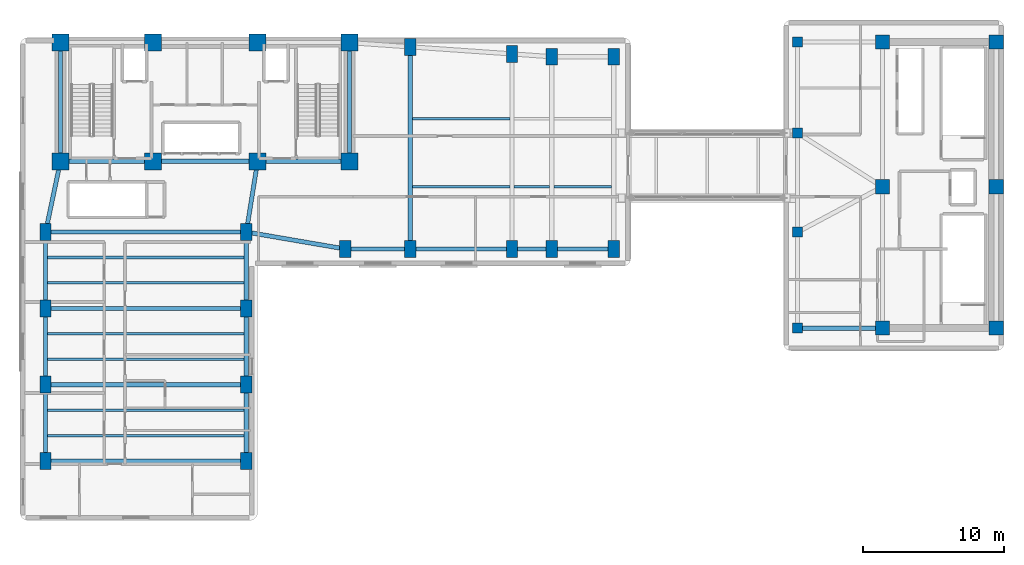
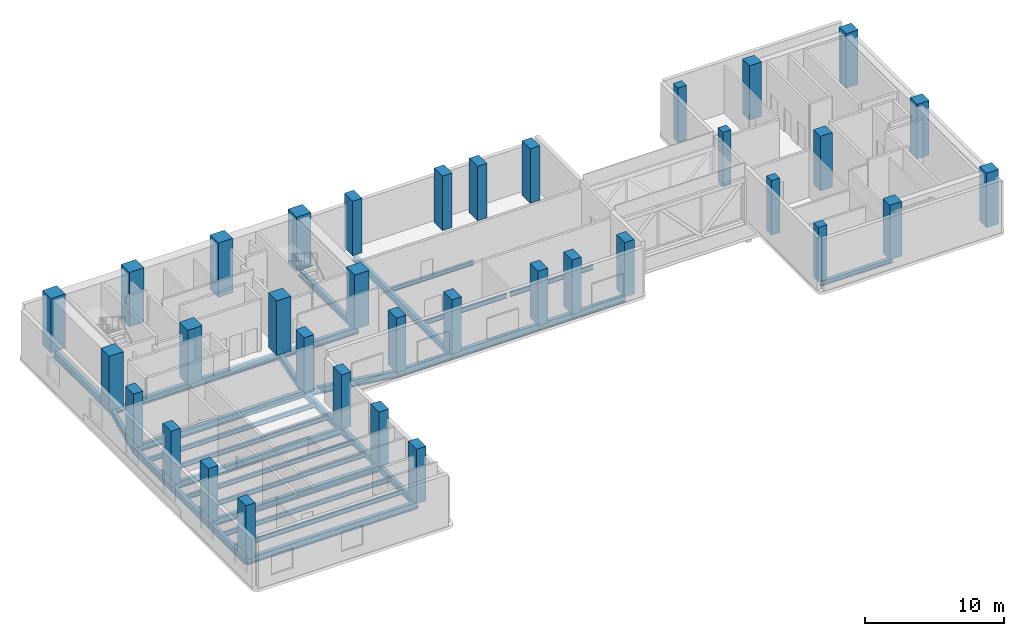
# One storey, part 1 of 17: 35 columns, 34 beams.
"""IFC4 building model written with IfcOpenShell, lengths in metres."""

from ifc_helpers import new_model, si_unit, direction, frame, origin, origin_2d, place, context, subcontext, project, spatial, rectangle, i_section, extrude, material, material_profile, profile_set, type_object, element, save


model = new_model("IFC4")

# Units and contexts
model_context = context("Model", 3, precision=1e-05, world=origin(), true_north=direction((0.0, 1.0)))
body_context = subcontext(model_context, "Body", "Model", "MODEL_VIEW")
ifc_project = project(units=[si_unit("LENGTHUNIT", "METRE"), si_unit("AREAUNIT", "SQUARE_METRE"), si_unit("VOLUMEUNIT", "CUBIC_METRE"), si_unit("PLANEANGLEUNIT", "RADIAN"), si_unit("MASSUNIT", "GRAM", prefix="KILO")], contexts=[model_context])

# Site, building, storey
site_placement = place(None, origin())
site = spatial("IfcSite", under=ifc_project, at=site_placement, CompositionType="ELEMENT")
building_placement = place(site_placement, origin())
building = spatial("IfcBuilding", under=site, at=building_placement, Name="Kuzgunbayir Cultural Tower", CompositionType="ELEMENT")
storey_placement = place(building_placement, frame((0.0, 0.0, 102.60009765625)))
storey = spatial("IfcBuildingStorey", under=building, at=storey_placement, Name="L29", CompositionType="ELEMENT", Elevation=102.60009765625)

# Columns
ifc_material_1 = material(Name="Concrete C60/75", Category="concrete")
ifc_material_profile_1 = material_profile(ifc_material_1, rectangle(XDim=1.199951171875, YDim=1.199951171875, at=origin_2d()), Name="RC 1200x1200")
ifc_profile_set_1 = profile_set([ifc_material_profile_1], Name="Concrete C60/75")
column_type_1 = type_object("IfcColumnType", Name="COL-CORE-1200", PredefinedType="COLUMN", material=ifc_profile_set_1)
for number, where, z_axis, x_axis, name in (
    (1, (6.449951171875, 33.800048828125, 0.0), (0.0, 0.0, 1.0), (1.0, 0.0, 0.0), "L29 T1 Core Boundary Column CC1-1"),
    (2, (13.0, 33.800048828125, 0.0), (0.0, 0.0, 1.0), (1.0, 0.0, 0.0), "L29 T1 Core Boundary Column CC1-2"),
    (3, (20.39990234375, 33.800048828125, 0.0), (0.0, 0.0, 1.0), (1.0, 0.0, 0.0), "L29 T1 Core Boundary Column CC1-3"),
    (4, (26.89990234375, 33.800048828125, 0.0), (0.0, 0.0, 1.0), (1.0, 0.0, 0.0), "L29 T1 Core Boundary Column CC1-4"),
    (5, (6.449951171875, 42.199951171875, 0.0), (0.0, 0.0, 1.0), (1.0, 0.0, 0.0), "L29 T1 Core Boundary Column CC1-5"),
    (6, (13.0, 42.199951171875, 0.0), (0.0, 0.0, 1.0), (1.0, 0.0, 0.0), "L29 T1 Core Boundary Column CC1-6"),
    (7, (20.39990234375, 42.199951171875, 0.0), (0.0, 0.0, 1.0), (1.0, 0.0, 0.0), "L29 T1 Core Boundary Column CC1-7"),
    (8, (26.89990234375, 42.199951171875, 0.0), (0.0, 0.0, 1.0), (1.0, 0.0, 0.0), "L29 T1 Core Boundary Column CC1-8"),
):
    element("IfcColumn", number, at=place(storey_placement, frame(where, z_axis=z_axis, x_axis=x_axis)), inside=storey, type_object=column_type_1, Name=name, PredefinedType="COLUMN", context=body_context, shape_type="SweptSolid", body=[
        extrude(rectangle(XDim=1.199951171875, YDim=1.199951171875, at=origin_2d()), origin(), (0.0, 0.0, 1.0), 4.7998046875),
    ])
ifc_material_profile_2 = material_profile(ifc_material_1, rectangle(XDim=0.800048828125, YDim=1.199951171875, at=origin_2d()), Name="RC 1200x800")
ifc_profile_set_2 = profile_set([ifc_material_profile_2], Name="Concrete C60/75")
column_type_2 = type_object("IfcColumnType", Name="COL-T1-1200x800", PredefinedType="COLUMN", material=ifc_profile_set_2)
for number, where, z_axis, x_axis, name in (
    (9, (5.39990234375, 12.60009765625, 0.0), (0.0, 0.0, 1.0), (1.0, 0.0, 0.0), "L29 Tower 1 Wing A Column T1A-W-1"),
    (10, (19.60009765625, 12.60009765625, 0.0), (0.0, 0.0, 1.0), (1.0, 0.0, 0.0), "L29 Tower 1 Wing A Column T1A-E-1"),
    (11, (5.39990234375, 18.0, 0.0), (0.0, 0.0, 1.0), (1.0, 0.0, 0.0), "L29 Tower 1 Wing A Column T1A-W-2"),
    (12, (19.60009765625, 18.0, 0.0), (0.0, 0.0, 1.0), (1.0, 0.0, 0.0), "L29 Tower 1 Wing A Column T1A-E-2"),
    (13, (5.39990234375, 23.39990234375, 0.0), (0.0, 0.0, 1.0), (1.0, 0.0, 0.0), "L29 Tower 1 Wing A Column T1A-W-3"),
    (14, (19.60009765625, 23.39990234375, 0.0), (0.0, 0.0, 1.0), (1.0, 0.0, 0.0), "L29 Tower 1 Wing A Column T1A-E-3"),
    (15, (5.39990234375, 28.800048828125, 0.0), (0.0, 0.0, 1.0), (1.0, 0.0, 0.0), "L29 Tower 1 Wing A Column T1A-W-4"),
    (16, (19.60009765625, 28.800048828125, 0.0), (0.0, 0.0, 1.0), (1.0, 0.0, 0.0), "L29 Tower 1 Wing A Column T1A-E-4"),
    (17, (26.60009765625, 27.60009765625, 0.0), (0.0, 0.0, 1.0), (1.0, 0.0, 0.0), "L29 Tower 1 Wing B Column T1B-1-1"),
    (18, (31.199951171875, 27.60009765625, 0.0), (0.0, 0.0, 1.0), (1.0, 0.0, 0.0), "L29 Tower 1 Wing B Column T1B-2-1"),
    (19, (31.199951171875, 41.89990234375, 0.0), (0.0, 0.0, 1.0), (1.0, 0.0, 0.0), "L29 Tower 1 Wing B Column T1B-2-2"),
    (20, (38.39990234375, 27.60009765625, 0.0), (0.0, 0.0, 1.0), (1.0, 0.0, 0.0), "L29 Tower 1 Wing B Column T1B-3-1"),
    (21, (38.39990234375, 41.39990234375, 0.0), (0.0, 0.0, 1.0), (1.0, 0.0, 0.0), "L29 Tower 1 Wing B Column T1B-3-2"),
    (22, (41.199951171875, 27.60009765625, 0.0), (0.0, 0.0, 1.0), (1.0, 0.0, 0.0), "L29 Tower 1 Wing B Column T1B-4-1"),
    (23, (41.199951171875, 41.199951171875, 0.0), (0.0, 0.0, 1.0), (1.0, 0.0, 0.0), "L29 Tower 1 Wing B Column T1B-4-2"),
    (24, (45.60009765625, 27.60009765625, 0.0), (0.0, 0.0, 1.0), (1.0, 0.0, 0.0), "L29 Tower 1 Wing B Column T1B-5-1"),
    (25, (45.60009765625, 41.199951171875, 0.0), (0.0, 0.0, 1.0), (1.0, 0.0, 0.0), "L29 Tower 1 Wing B Column T1B-5-2"),
):
    element("IfcColumn", number, at=place(storey_placement, frame(where, z_axis=z_axis, x_axis=x_axis)), inside=storey, type_object=column_type_2, Name=name, PredefinedType="COLUMN", context=body_context, shape_type="SweptSolid", body=[
        extrude(rectangle(XDim=0.800048828125, YDim=1.199951171875, at=origin_2d()), origin(), (0.0, 0.0, 1.0), 4.7998046875),
    ])
ifc_material_profile_3 = material_profile(ifc_material_1, rectangle(XDim=1.0, YDim=1.0, at=origin_2d()), Name="RC 1000x1000")
ifc_profile_set_3 = profile_set([ifc_material_profile_3], Name="Concrete C60/75")
column_type_3 = type_object("IfcColumnType", Name="COL-T2-1000", PredefinedType="COLUMN", material=ifc_profile_set_3)
for number, where, z_axis, x_axis, name in (
    (26, (64.60009765625, 22.0, 0.0), (0.0, 0.0, 1.0), (1.0, 0.0, 0.0), "L29 T2 Core Boundary Column CC2-1"),
    (27, (72.64990234375, 22.0, 0.0), (0.0, 0.0, 1.0), (1.0, 0.0, 0.0), "L29 T2 Core Boundary Column CC2-2"),
    (28, (64.60009765625, 32.0, 0.0), (0.0, 0.0, 1.0), (1.0, 0.0, 0.0), "L29 T2 Core Boundary Column CC2-3"),
    (29, (72.64990234375, 32.0, 0.0), (0.0, 0.0, 1.0), (1.0, 0.0, 0.0), "L29 T2 Core Boundary Column CC2-4"),
    (30, (64.60009765625, 42.25, 0.0), (0.0, 0.0, 1.0), (1.0, 0.0, 0.0), "L29 T2 Core Boundary Column CC2-5"),
    (31, (72.64990234375, 42.25, 0.0), (0.0, 0.0, 1.0), (1.0, 0.0, 0.0), "L29 T2 Core Boundary Column CC2-6"),
):
    element("IfcColumn", number, at=place(storey_placement, frame(where, z_axis=z_axis, x_axis=x_axis)), inside=storey, type_object=column_type_3, Name=name, PredefinedType="COLUMN", context=body_context, shape_type="SweptSolid", body=[
        extrude(rectangle(XDim=1.0, YDim=1.0, at=origin_2d()), origin(), (0.0, 0.0, 1.0), 4.7998046875),
    ])
ifc_material_profile_4 = material_profile(ifc_material_1, rectangle(XDim=0.699951171875, YDim=0.699951171875, at=origin_2d()), Name="RC 700x700")
ifc_profile_set_4 = profile_set([ifc_material_profile_4], Name="Concrete C60/75")
column_type_4 = type_object("IfcColumnType", Name="COL-T2-700", PredefinedType="COLUMN", material=ifc_profile_set_4)
for number, where, z_axis, x_axis, name in (
    (32, (58.60009765625, 22.0, 0.0), (0.0, 0.0, 1.0), (1.0, 0.0, 0.0), "L29 Companion Wing A Column T2A-W-1"),
    (33, (58.60009765625, 28.800048828125, 0.0), (0.0, 0.0, 1.0), (1.0, 0.0, 0.0), "L29 Companion Wing A Column T2A-W-2"),
    (34, (58.60009765625, 35.800048828125, 0.0), (0.0, 0.0, 1.0), (1.0, 0.0, 0.0), "L29 Companion Wing A Column T2A-W-3"),
    (35, (58.60009765625, 42.25, 0.0), (0.0, 0.0, 1.0), (1.0, 0.0, 0.0), "L29 Companion Wing A Column T2A-W-4"),
):
    element("IfcColumn", number, at=place(storey_placement, frame(where, z_axis=z_axis, x_axis=x_axis)), inside=storey, type_object=column_type_4, Name=name, PredefinedType="COLUMN", context=body_context, shape_type="SweptSolid", body=[
        extrude(rectangle(XDim=0.699951171875, YDim=0.699951171875, at=origin_2d()), origin(), (0.0, 0.0, 1.0), 4.7998046875),
    ])

# Beams
ifc_material_2 = material(Name="Steel S355J2", Category="steel")
ifc_material_profile_5 = material_profile(ifc_material_2, i_section(OverallWidth=0.300048828125, OverallDepth=0.60009765625, WebThickness=0.015380859375, FlangeThickness=0.030029296875, FilletRadius=0.027099609375, at=origin_2d()), Name="HEB 600")
ifc_profile_set_5 = profile_set([ifc_material_profile_5], Name="Steel S355J2")
beam_type_1 = type_object("IfcBeamType", Name="BM-EXT-HEB600", PredefinedType="BEAM", material=ifc_profile_set_5)
for number, where, z_axis, x_axis, name in (
    (36, (5.39990234375, 12.60009765625, -0.5400390625), (0.0, 1.0, 0.0), (-1.0, 0.0, 0.0), "L29 Wing A West Girder 1"),
    (37, (19.60009765625, 12.60009765625, -0.5400390625), (0.0, 1.0, 0.0), (-1.0, 0.0, 0.0), "L29 Wing A East Girder 1"),
    (38, (5.39990234375, 18.0, -0.5400390625), (0.0, 1.0, 0.0), (-1.0, 0.0, 0.0), "L29 Wing A West Girder 2"),
    (39, (19.60009765625, 18.0, -0.5400390625), (0.0, 1.0, 0.0), (-1.0, 0.0, 0.0), "L29 Wing A East Girder 2"),
):
    element("IfcBeam", number, at=place(storey_placement, frame(where, z_axis=z_axis, x_axis=x_axis)), inside=storey, type_object=beam_type_1, Name=name, PredefinedType="BEAM", context=body_context, shape_type="SweptSolid", body=[
        extrude(i_section(OverallWidth=0.300048828125, OverallDepth=0.60009765625, WebThickness=0.015380859375, FlangeThickness=0.030029296875, FilletRadius=0.027099609375, at=origin_2d()), origin(), (0.0, 0.0, 1.0), 5.39990234375),
    ])
for number, where, z_axis, x_axis, name in (
    (40, (5.39990234375, 23.39990234375, -0.5400390625), (0.0, 1.0, 0.0), (-1.0, 0.0, 0.0), "L29 Wing A West Girder 3"),
    (41, (19.60009765625, 23.39990234375, -0.5400390625), (0.0, 1.0, 0.0), (-1.0, 0.0, 0.0), "L29 Wing A East Girder 3"),
):
    element("IfcBeam", number, at=place(storey_placement, frame(where, z_axis=z_axis, x_axis=x_axis)), inside=storey, type_object=beam_type_1, Name=name, PredefinedType="BEAM", context=body_context, shape_type="SweptSolid", body=[
        extrude(i_section(OverallWidth=0.300048828125, OverallDepth=0.60009765625, WebThickness=0.015380859375, FlangeThickness=0.030029296875, FilletRadius=0.027099609375, at=origin_2d()), origin(), (0.0, 0.0, 1.0), 5.400146484375),
    ])
beam_1_placement = place(storey_placement, frame((26.60009765625, 27.60009765625, -0.5400390625), z_axis=(1.0, 0.0, 0.0), x_axis=(0.0, 1.0, 0.0)))
element("IfcBeam", 42, at=beam_1_placement, inside=storey, type_object=beam_type_1, Name="L29 Wing B South Girder 1", PredefinedType="BEAM", context=body_context, shape_type="SweptSolid", body=[
    extrude(i_section(OverallWidth=0.300048828125, OverallDepth=0.60009765625, WebThickness=0.015380859375, FlangeThickness=0.030029296875, FilletRadius=0.027099609375, at=origin_2d()), origin(), (0.0, 0.0, 1.0), 4.599853515625),
])
beam_2_placement = place(storey_placement, frame((31.199951171875, 27.60009765625, -0.5400390625), z_axis=(1.0, 0.0, 0.0), x_axis=(0.0, 1.0, 0.0)))
element("IfcBeam", 43, at=beam_2_placement, inside=storey, type_object=beam_type_1, Name="L29 Wing B South Girder 2", PredefinedType="BEAM", context=body_context, shape_type="SweptSolid", body=[
    extrude(i_section(OverallWidth=0.300048828125, OverallDepth=0.60009765625, WebThickness=0.015380859375, FlangeThickness=0.030029296875, FilletRadius=0.027099609375, at=origin_2d()), origin(), (0.0, 0.0, 1.0), 7.199951171875),
])
beam_3_placement = place(storey_placement, frame((38.39990234375, 27.60009765625, -0.5400390625), z_axis=(1.0, 0.0, 0.0), x_axis=(0.0, 1.0, 0.0)))
element("IfcBeam", 44, at=beam_3_placement, inside=storey, type_object=beam_type_1, Name="L29 Wing B South Girder 3", PredefinedType="BEAM", context=body_context, shape_type="SweptSolid", body=[
    extrude(i_section(OverallWidth=0.300048828125, OverallDepth=0.60009765625, WebThickness=0.015380859375, FlangeThickness=0.030029296875, FilletRadius=0.027099609375, at=origin_2d()), origin(), (0.0, 0.0, 1.0), 2.800048828125),
])
beam_4_placement = place(storey_placement, frame((41.199951171875, 27.60009765625, -0.5400390625), z_axis=(1.0, 0.0, 0.0), x_axis=(0.0, 1.0, 0.0)))
element("IfcBeam", 45, at=beam_4_placement, inside=storey, type_object=beam_type_1, Name="L29 Wing B South Girder 4", PredefinedType="BEAM", context=body_context, shape_type="SweptSolid", body=[
    extrude(i_section(OverallWidth=0.300048828125, OverallDepth=0.60009765625, WebThickness=0.015380859375, FlangeThickness=0.030029296875, FilletRadius=0.027099609375, at=origin_2d()), origin(), (0.0, 0.0, 1.0), 4.400146484375),
])
ifc_material_profile_6 = material_profile(ifc_material_2, i_section(OverallWidth=0.300048828125, OverallDepth=0.39990234375, WebThickness=0.013427734375, FlangeThickness=0.02392578125, FilletRadius=0.027099609375, at=origin_2d()), Name="HEB 400")
ifc_profile_set_6 = profile_set([ifc_material_profile_6], Name="Steel S355J2")
beam_type_2 = type_object("IfcBeamType", Name="BM-GIR-HEB400", PredefinedType="BEAM", material=ifc_profile_set_6)
beam_5_placement = place(storey_placement, frame((58.60009765625, 22.0, -0.440185546875), z_axis=(1.0, 0.0, 0.0), x_axis=(0.0, 1.0, 0.0)))
element("IfcBeam", 46, at=beam_5_placement, inside=storey, type_object=beam_type_2, Name="L29 Companion Transverse Girder 1", PredefinedType="BEAM", context=body_context, shape_type="SweptSolid", body=[
    extrude(i_section(OverallWidth=0.300048828125, OverallDepth=0.39990234375, WebThickness=0.013427734375, FlangeThickness=0.02392578125, FilletRadius=0.027099609375, at=origin_2d()), origin(), (0.0, 0.0, 1.0), 6.0),
])
ifc_material_profile_7 = material_profile(ifc_material_2, i_section(OverallWidth=0.300048828125, OverallDepth=0.60009765625, WebThickness=0.015380859375, FlangeThickness=0.030029296875, FilletRadius=0.027099609375, at=origin_2d()), Name="HEB 600")
ifc_profile_set_7 = profile_set([ifc_material_profile_7], Name="Steel S355J2")
beam_type_3 = type_object("IfcBeamType", Name="BM-GIR-HEB600", PredefinedType="BEAM", material=ifc_profile_set_7)
beam_6_placement = place(storey_placement, frame((6.449951171875, 33.800048828125, -0.5400390625), z_axis=(1.0, 0.0, 0.0), x_axis=(0.0, 1.0, 0.0)))
element("IfcBeam", 47, at=beam_6_placement, inside=storey, type_object=beam_type_3, Name="L29 Core South Girder 1", PredefinedType="BEAM", context=body_context, shape_type="SweptSolid", body=[
    extrude(i_section(OverallWidth=0.300048828125, OverallDepth=0.60009765625, WebThickness=0.015380859375, FlangeThickness=0.030029296875, FilletRadius=0.027099609375, at=origin_2d()), origin(), (0.0, 0.0, 1.0), 6.550048828125),
])
beam_7_placement = place(storey_placement, frame((13.0, 33.800048828125, -0.5400390625), z_axis=(1.0, 0.0, 0.0), x_axis=(0.0, 1.0, 0.0)))
element("IfcBeam", 48, at=beam_7_placement, inside=storey, type_object=beam_type_3, Name="L29 Core South Girder 2", PredefinedType="BEAM", context=body_context, shape_type="SweptSolid", body=[
    extrude(i_section(OverallWidth=0.300048828125, OverallDepth=0.60009765625, WebThickness=0.015380859375, FlangeThickness=0.030029296875, FilletRadius=0.027099609375, at=origin_2d()), origin(), (0.0, 0.0, 1.0), 7.39990234375),
])
beam_8_placement = place(storey_placement, frame((20.39990234375, 33.800048828125, -0.5400390625), z_axis=(1.0, 0.0, 0.0), x_axis=(0.0, 1.0, 0.0)))
element("IfcBeam", 49, at=beam_8_placement, inside=storey, type_object=beam_type_3, Name="L29 Core South Girder 3", PredefinedType="BEAM", context=body_context, shape_type="SweptSolid", body=[
    extrude(i_section(OverallWidth=0.300048828125, OverallDepth=0.60009765625, WebThickness=0.015380859375, FlangeThickness=0.030029296875, FilletRadius=0.027099609375, at=origin_2d()), origin(), (0.0, 0.0, 1.0), 6.5),
])
for number, where, z_axis, x_axis, name in (
    (50, (6.449951171875, 33.800048828125, -0.5400390625), (0.0, 1.0, 0.0), (-1.0, 0.0, 0.0), "L29 Core West Edge Girder"),
    (51, (26.89990234375, 33.800048828125, -0.5400390625), (0.0, 1.0, 0.0), (-1.0, 0.0, 0.0), "L29 Core East Edge Girder"),
):
    element("IfcBeam", number, at=place(storey_placement, frame(where, z_axis=z_axis, x_axis=x_axis)), inside=storey, type_object=beam_type_3, Name=name, PredefinedType="BEAM", context=body_context, shape_type="SweptSolid", body=[
        extrude(i_section(OverallWidth=0.300048828125, OverallDepth=0.60009765625, WebThickness=0.015380859375, FlangeThickness=0.030029296875, FilletRadius=0.027099609375, at=origin_2d()), origin(), (0.0, 0.0, 1.0), 8.39990234375),
    ])
for number, where, z_axis, x_axis, name in (
    (52, (5.39990234375, 12.60009765625, -0.5400390625), (1.0, 0.0, 0.0), (0.0, 1.0, 0.0), "L29 Wing A Transverse Girder 1"),
    (53, (5.39990234375, 18.0, -0.5400390625), (1.0, 0.0, 0.0), (0.0, 1.0, 0.0), "L29 Wing A Transverse Girder 2"),
    (54, (5.39990234375, 23.39990234375, -0.5400390625), (1.0, 0.0, 0.0), (0.0, 1.0, 0.0), "L29 Wing A Transverse Girder 3"),
    (55, (5.39990234375, 28.800048828125, -0.5400390625), (1.0, 0.0, 0.0), (0.0, 1.0, 0.0), "L29 Wing A Transverse Girder 4"),
):
    element("IfcBeam", number, at=place(storey_placement, frame(where, z_axis=z_axis, x_axis=x_axis)), inside=storey, type_object=beam_type_3, Name=name, PredefinedType="BEAM", context=body_context, shape_type="SweptSolid", body=[
        extrude(i_section(OverallWidth=0.300048828125, OverallDepth=0.60009765625, WebThickness=0.015380859375, FlangeThickness=0.030029296875, FilletRadius=0.027099609375, at=origin_2d()), origin(), (0.0, 0.0, 1.0), 14.2001953125),
    ])
beam_9_placement = place(storey_placement, frame((5.39990234375, 28.800048828125, -0.5400390625), z_axis=(0.205526387753, 0.978651574329, 0.0), x_axis=(-0.978651574329, 0.205526387753, 0.0)))
element("IfcBeam", 56, at=beam_9_placement, inside=storey, type_object=beam_type_3, Name="L29 Wing A West Core Floor Girder", PredefinedType="BEAM", context=body_context, shape_type="SweptSolid", body=[
    extrude(i_section(OverallWidth=0.300048828125, OverallDepth=0.60009765625, WebThickness=0.015380859375, FlangeThickness=0.030029296875, FilletRadius=0.027099609375, at=origin_2d()), origin(), (0.0, 0.0, 1.0), 5.109130859375),
])
beam_10_placement = place(storey_placement, frame((19.60009765625, 28.800048828125, -0.5400390625), z_axis=(0.157952891656, 0.987446648694, 0.0), x_axis=(-0.987446648694, 0.157952891656, 0.0)))
element("IfcBeam", 57, at=beam_10_placement, inside=storey, type_object=beam_type_3, Name="L29 Wing A East Core Floor Girder", PredefinedType="BEAM", context=body_context, shape_type="SweptSolid", body=[
    extrude(i_section(OverallWidth=0.300048828125, OverallDepth=0.60009765625, WebThickness=0.015380859375, FlangeThickness=0.030029296875, FilletRadius=0.027099609375, at=origin_2d()), origin(), (0.0, 0.0, 1.0), 5.0634765625),
])
beam_11_placement = place(storey_placement, frame((31.199951171875, 27.60009765625, -0.5400390625), z_axis=(0.0, 1.0, 0.0), x_axis=(-1.0, 0.0, 0.0)))
element("IfcBeam", 58, at=beam_11_placement, inside=storey, type_object=beam_type_3, Name="L29 Wing B Cross Girder 31", PredefinedType="BEAM", context=body_context, shape_type="SweptSolid", body=[
    extrude(i_section(OverallWidth=0.300048828125, OverallDepth=0.60009765625, WebThickness=0.015380859375, FlangeThickness=0.030029296875, FilletRadius=0.027099609375, at=origin_2d()), origin(), (0.0, 0.0, 1.0), 14.2998046875),
])
beam_12_placement = place(storey_placement, frame((19.60009765625, 28.800048828125, -0.5400390625), z_axis=(0.985623399742, -0.168957136221, 0.0), x_axis=(0.168957136221, 0.985623399742, 0.0)))
element("IfcBeam", 59, at=beam_12_placement, inside=storey, type_object=beam_type_3, Name="L29 Wing B Waist Tie Girder", PredefinedType="BEAM", context=body_context, shape_type="SweptSolid", body=[
    extrude(i_section(OverallWidth=0.300048828125, OverallDepth=0.60009765625, WebThickness=0.015380859375, FlangeThickness=0.030029296875, FilletRadius=0.027099609375, at=origin_2d()), origin(), (0.0, 0.0, 1.0), 7.10205078125),
])
ifc_material_profile_8 = material_profile(ifc_material_2, i_section(OverallWidth=0.179931640625, OverallDepth=0.39990234375, WebThickness=0.008544921875, FlangeThickness=0.013427734375, FilletRadius=0.02099609375, at=origin_2d()), Name="IPE 400")
ifc_profile_set_8 = profile_set([ifc_material_profile_8], Name="Steel S355J2")
beam_type_4 = type_object("IfcBeamType", Name="BM-JST-IPE400", PredefinedType="JOIST", material=ifc_profile_set_8)
for number, where, z_axis, x_axis, name in (
    (60, (5.550048828125, 14.39990234375, -0.440185546875), (1.0, 0.0, 0.0), (0.0, 1.0, 0.0), "L29 Wing A Secondary Joist 1"),
    (61, (5.550048828125, 16.199951171875, -0.440185546875), (1.0, 0.0, 0.0), (0.0, 1.0, 0.0), "L29 Wing A Secondary Joist 2"),
    (62, (5.550048828125, 19.800048828125, -0.440185546875), (1.0, 0.0, 0.0), (0.0, 1.0, 0.0), "L29 Wing A Secondary Joist 3"),
    (63, (5.550048828125, 21.60009765625, -0.440185546875), (1.0, 0.0, 0.0), (0.0, 1.0, 0.0), "L29 Wing A Secondary Joist 4"),
    (64, (5.550048828125, 25.199951171875, -0.440185546875), (1.0, 0.0, 0.0), (0.0, 1.0, 0.0), "L29 Wing A Secondary Joist 5"),
    (65, (5.550048828125, 27.0, -0.440185546875), (1.0, 0.0, 0.0), (0.0, 1.0, 0.0), "L29 Wing A Secondary Joist 6"),
):
    element("IfcBeam", number, at=place(storey_placement, frame(where, z_axis=z_axis, x_axis=x_axis)), inside=storey, type_object=beam_type_4, Name=name, PredefinedType="JOIST", context=body_context, shape_type="SweptSolid", body=[
        extrude(i_section(OverallWidth=0.179931640625, OverallDepth=0.39990234375, WebThickness=0.008544921875, FlangeThickness=0.013427734375, FilletRadius=0.02099609375, at=origin_2d()), origin(), (0.0, 0.0, 1.0), 13.89990234375),
    ])
for number, where, z_axis, x_axis, name in (
    (66, (31.35009765625, 32.0, -0.440185546875), (1.0, 0.0, 0.0), (0.0, 1.0, 0.0), "L29 Wing B Secondary Joist 1.1"),
    (67, (31.35009765625, 36.800048828125, -0.440185546875), (1.0, 0.0, 0.0), (0.0, 1.0, 0.0), "L29 Wing B Secondary Joist 1.2"),
):
    element("IfcBeam", number, at=place(storey_placement, frame(where, z_axis=z_axis, x_axis=x_axis)), inside=storey, type_object=beam_type_4, Name=name, PredefinedType="JOIST", context=body_context, shape_type="SweptSolid", body=[
        extrude(i_section(OverallWidth=0.179931640625, OverallDepth=0.39990234375, WebThickness=0.008544921875, FlangeThickness=0.013427734375, FilletRadius=0.02099609375, at=origin_2d()), origin(), (0.0, 0.0, 1.0), 6.89990234375),
    ])
beam_13_placement = place(storey_placement, frame((38.550048828125, 32.0, -0.440185546875), z_axis=(1.0, 0.0, 0.0), x_axis=(0.0, 1.0, 0.0)))
element("IfcBeam", 68, at=beam_13_placement, inside=storey, type_object=beam_type_4, Name="L29 Wing B Secondary Joist 2.1", PredefinedType="JOIST", context=body_context, shape_type="SweptSolid", body=[
    extrude(i_section(OverallWidth=0.179931640625, OverallDepth=0.39990234375, WebThickness=0.008544921875, FlangeThickness=0.013427734375, FilletRadius=0.02099609375, at=origin_2d()), origin(), (0.0, 0.0, 1.0), 2.5),
])
beam_14_placement = place(storey_placement, frame((41.35009765625, 32.0, -0.440185546875), z_axis=(1.0, 0.0, 0.0), x_axis=(0.0, 1.0, 0.0)))
element("IfcBeam", 69, at=beam_14_placement, inside=storey, type_object=beam_type_4, Name="L29 Wing B Secondary Joist 3.1", PredefinedType="JOIST", context=body_context, shape_type="SweptSolid", body=[
    extrude(i_section(OverallWidth=0.179931640625, OverallDepth=0.39990234375, WebThickness=0.008544921875, FlangeThickness=0.013427734375, FilletRadius=0.02099609375, at=origin_2d()), origin(), (0.0, 0.0, 1.0), 4.099853515625),
])

save(model, "model.ifc")
